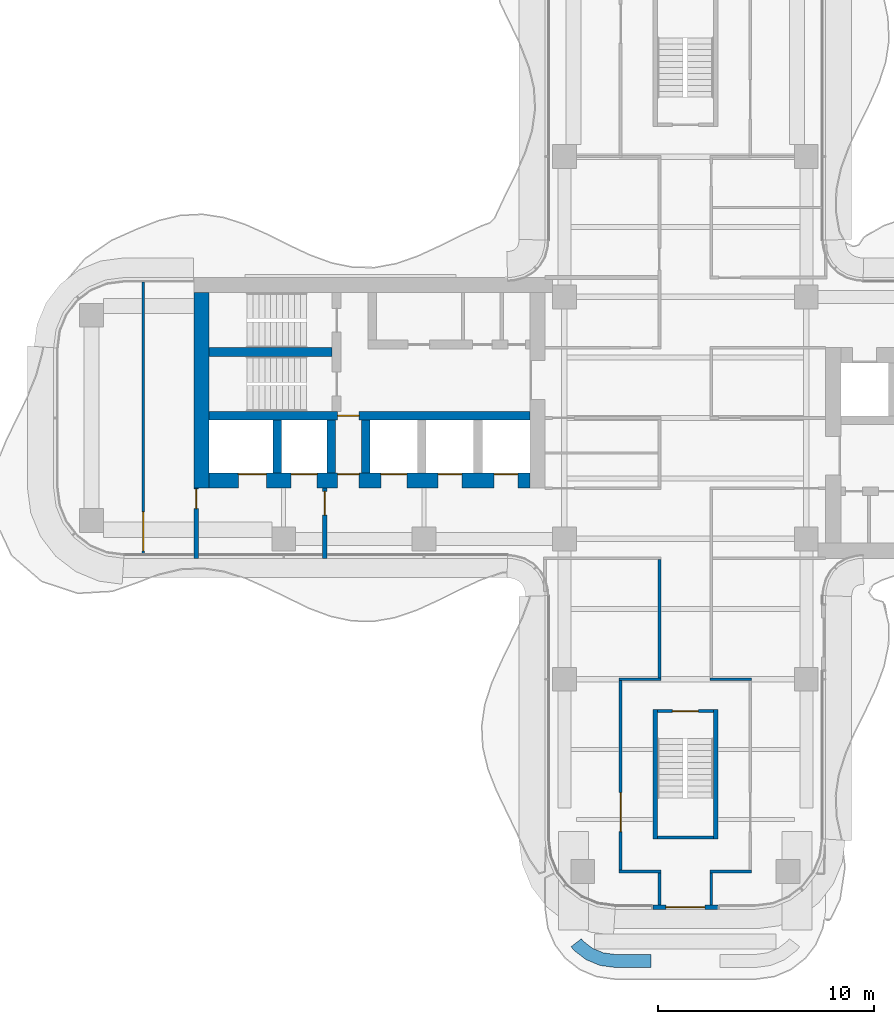
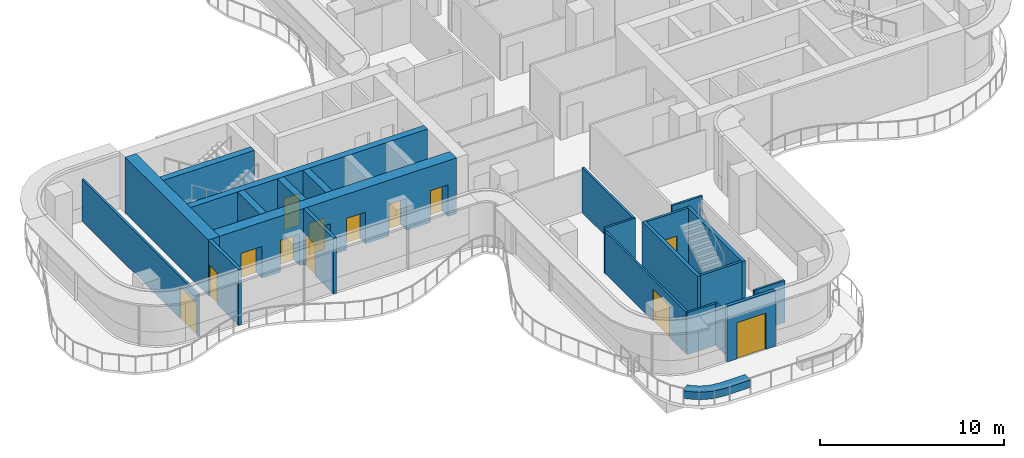
# One storey, part 12 of 17: 24 walls, 13 doors, 13 openings.
"""IFC4 building model written with IfcOpenShell, lengths in metres."""

from ifc_helpers import new_model, si_unit, direction, frame, frame_2d, origin, place, context, subcontext, project, spatial, polyline, rectangle, outline, extrude, source, transform, mapped, material, layer, layer_set, type_object, element, fill, save


model = new_model("IFC4")

# Units and contexts
model_context = context("Model", 3, precision=1e-05, world=origin(), true_north=direction((0.0, 1.0)))
body_context = subcontext(model_context, "Body", "Model", "MODEL_VIEW")
ifc_project = project(units=[si_unit("LENGTHUNIT", "METRE"), si_unit("AREAUNIT", "SQUARE_METRE"), si_unit("VOLUMEUNIT", "CUBIC_METRE"), si_unit("PLANEANGLEUNIT", "RADIAN"), si_unit("MASSUNIT", "GRAM", prefix="KILO")], contexts=[model_context])

# Site, building, storey
site_placement = place(None, origin())
site = spatial("IfcSite", under=ifc_project, at=site_placement, CompositionType="ELEMENT")
building_placement = place(site_placement, origin())
building = spatial("IfcBuilding", under=site, at=building_placement, Name="Trellis Farm Tower", CompositionType="ELEMENT")
storey_placement = place(building_placement, frame((0.0, 0.0, 244.10009765625)))
storey = spatial("IfcBuildingStorey", under=building, at=storey_placement, Name="L54", CompositionType="ELEMENT", Elevation=244.10009765625)

# Walls
ifc_material_1 = material(Name="Sandstone faced masonry planter", Category="masonry")
ifc_layer_1 = layer(ifc_material_1, 0.60009765625)
ifc_layer_set_1 = layer_set([ifc_layer_1], Name="PLANTER BED 600")
wall_type_1 = type_object("IfcWallType", Name="PLANTER BED 600", PredefinedType="USERDEFINED", material=ifc_layer_set_1)
wall_1_placement = place(storey_placement, origin())
element("IfcWall", 1, at=wall_1_placement, inside=storey, type_object=wall_type_1, Name="PLANTER bed", ObjectType="PLANTER", PredefinedType="USERDEFINED", context=body_context, shape_type="SweptSolid", body=[
    extrude(outline(polyline([(-3.214111328125, -25.449951171875), (-3.947509765625, -25.353515625), (-4.59765625, -25.084228515625), (-5.15576171875, -24.65576171875), (-5.29052734375, -24.480224609375), (-4.814697265625, -24.114990234375), (-4.727783203125, -24.227783203125), (-4.294921875, -24.56005859375), (-3.791015625, -24.768798828125), (-3.174560546875, -24.85009765625), (-1.60009765625, -24.85009765625), (-1.60009765625, -25.449951171875), (-3.214111328125, -25.449951171875)])), origin(), (0.0, 0.0, 1.0), 0.5),
])
ifc_material_2 = material(Name="Concrete C60/75", Category="concrete")
ifc_layer_2 = layer(ifc_material_2, 0.699951171875)
ifc_layer_set_2 = layer_set([ifc_layer_2], Name="CORE OUTER WALL 700 CONCRETE C60/75")
wall_type_2 = type_object("IfcWallType", Name="CORE OUTER WALL 700 CONCRETE C60/75", PredefinedType="SHEAR", material=ifc_layer_set_2)
shared_shape_1 = source(origin(), body_context, "Body", "SweptSolid", [
    extrude(rectangle(XDim=9.050048828125, YDim=0.699951171875, at=frame_2d((4.52490234375, 0.0))), origin(), (0.0, 0.0, 1.0), 3.699951171875),
])
wall_2_placement = place(storey_placement, frame((-22.39990234375, 5.800048828125, 0.0), z_axis=(0.0, 0.0, 1.0), x_axis=(0.0, -1.0, 0.0)))
element("IfcWall", 2, at=wall_2_placement, inside=storey, type_object=wall_type_2, Name="Core wall", PredefinedType="SHEAR", context=body_context, shape_type="MappedRepresentation", body=[
    mapped(shared_shape_1, transform((0.0, 0.0, 0.0))),
])
ifc_layer_3 = layer(ifc_material_2, 0.39990234375)
ifc_layer_set_3 = layer_set([ifc_layer_3], Name="CORE INNER WALL 400 CONCRETE C60/75")
wall_type_3 = type_object("IfcWallType", Name="CORE INNER WALL 400 CONCRETE C60/75", PredefinedType="SHEAR", material=ifc_layer_set_3)
shared_shape_2 = source(origin(), body_context, "Body", "SweptSolid", [
    extrude(rectangle(XDim=2.449951171875, YDim=0.39990234375, at=frame_2d((1.22509765625, 0.0))), origin(), (0.0, 0.0, 1.0), 3.699951171875),
])
for number, where, z_axis, x_axis, name in (
    (3, (-14.800048828125, -0.10009765625, 0.0), (0.0, 0.0, 1.0), (0.0, -1.0, 0.0), "Core wall"),
    (4, (-16.39990234375, -0.10009765625, 0.0), (0.0, 0.0, 1.0), (0.0, -1.0, 0.0), "Core wall"),
    (5, (-18.89990234375, -0.10009765625, 0.0), (0.0, 0.0, 1.0), (0.0, -1.0, 0.0), "Core wall"),
):
    element("IfcWall", number, at=place(storey_placement, frame(where, z_axis=z_axis, x_axis=x_axis)), inside=storey, type_object=wall_type_3, Name=name, PredefinedType="SHEAR", context=body_context, shape_type="MappedRepresentation", body=[
        mapped(shared_shape_2, transform((0.0, 0.0, 0.0))),
    ])

# Wall, opening, door
ifc_material_3 = material(Name="Masonry blockwork", Category="masonry")
ifc_layer_4 = layer(ifc_material_3, 0.199951171875)
ifc_layer_set_4 = layer_set([ifc_layer_4], Name="FIRE LOBBY PARTITION 200 BLOCKWORK")
wall_type_4 = type_object("IfcWallType", Name="FIRE LOBBY PARTITION 200 BLOCKWORK", PredefinedType="PARTITIONING", material=ifc_layer_set_4)
shared_shape_3 = source(origin(), body_context, "Body", "SweptSolid", [
    extrude(rectangle(XDim=3.25, YDim=0.199951171875, at=frame_2d((1.625, 0.0))), origin(), (0.0, 0.0, 1.0), 3.699951171875),
])
wall_3_placement = place(storey_placement, frame((-16.699951171875, -3.25, 0.0), z_axis=(0.0, 0.0, 1.0), x_axis=(0.0, -1.0, 0.0)))
wall_3 = element("IfcWall", 6, at=wall_3_placement, inside=storey, type_object=wall_type_4, Name="Fire-fighting lobby partition", PredefinedType="PARTITIONING", context=body_context, shape_type="MappedRepresentation", body=[
    mapped(shared_shape_3, transform((0.0, 0.0, 0.0))),
])
shared_shape_4 = source(origin(), body_context, "Body", "SweptSolid", [
    extrude(rectangle(XDim=1.10009765625, YDim=2.10009765625, at=frame_2d((0.550048828125, 1.050048828125))), frame((0.0, 0.110107421875, 0.0), z_axis=(0.0, -1.0, 0.0), x_axis=(1.0, 0.0, 0.0)), (0.0, 0.0, 1.0), 0.22021484375),
])
opening_1_placement = place(wall_3_placement, frame((0.14990234375, 0.0, 0.0)))
opening_1 = element("IfcOpeningElement", 7, at=opening_1_placement, cuts=wall_3, Name="Opening DC93", PredefinedType="OPENING", context=body_context, shape_type="MappedRepresentation", body=[
    mapped(shared_shape_4, transform((0.0, 0.0, 0.0))),
])
ifc_material_4 = material(Name="Steel", Category="steel")
door_type_1 = type_object("IfcDoorType", Name="CORE FIRE DOOR 1100 X 2100", OperationType="NOTDEFINED", PredefinedType="DOOR", material=ifc_material_4)
shared_shape_5 = source(origin(), body_context, "Body", "SweptSolid", [
    extrude(rectangle(XDim=1.10009765625, YDim=2.10009765625, at=frame_2d((0.550048828125, 1.050048828125))), frame((0.0, 0.02490234375, 0.0), z_axis=(0.0, -1.0, 0.0), x_axis=(1.0, 0.0, 0.0)), (0.0, 0.0, 1.0), 0.050048828125),
])
door_1_placement = place(opening_1_placement, origin())
door_1 = element("IfcDoor", 8, at=door_1_placement, inside=storey, type_object=door_type_1, Name="Core door", OperationType="SINGLE_SWING_RIGHT", OverallHeight=2.10009765625, OverallWidth=1.10009765625, PredefinedType="DOOR", context=body_context, shape_type="MappedRepresentation", body=[
    mapped(shared_shape_5, transform((0.0, 0.0, 0.0))),
])
fill(opening_1, door_1)

wall_4_placement = place(storey_placement, frame((-22.64990234375, -3.25, 0.0), z_axis=(0.0, 0.0, 1.0), x_axis=(0.0, -1.0, 0.0)))
wall_4 = element("IfcWall", 9, at=wall_4_placement, inside=storey, type_object=wall_type_4, Name="Fire-fighting lobby partition", PredefinedType="PARTITIONING", context=body_context, shape_type="MappedRepresentation", body=[
    mapped(shared_shape_3, transform((0.0, 0.0, 0.0))),
])
shared_shape_6 = source(origin(), body_context, "Body", "SweptSolid", [
    extrude(rectangle(XDim=0.89990234375, YDim=2.10009765625, at=frame_2d((0.449951171875, 1.050048828125))), frame((0.0, 0.110107421875, 0.0), z_axis=(0.0, -1.0, 0.0), x_axis=(1.0, 0.0, 0.0)), (0.0, 0.0, 1.0), 0.22021484375),
])
opening_2_placement = place(wall_4_placement, frame((0.050048828125, 0.0, 0.0)))
opening_2 = element("IfcOpeningElement", 10, at=opening_2_placement, cuts=wall_4, Name="Opening DC94", PredefinedType="OPENING", context=body_context, shape_type="MappedRepresentation", body=[
    mapped(shared_shape_6, transform((0.0, 0.0, 0.0))),
])
door_type_2 = type_object("IfcDoorType", Name="CORE FIRE DOOR 900 X 2100", OperationType="NOTDEFINED", PredefinedType="DOOR", material=ifc_material_4)
shared_shape_7 = source(origin(), body_context, "Body", "SweptSolid", [
    extrude(rectangle(XDim=0.89990234375, YDim=2.10009765625, at=frame_2d((0.449951171875, 1.050048828125))), frame((0.0, 0.02490234375, 0.0), z_axis=(0.0, -1.0, 0.0), x_axis=(1.0, 0.0, 0.0)), (0.0, 0.0, 1.0), 0.050048828125),
])
door_2_placement = place(opening_2_placement, origin())
door_2 = element("IfcDoor", 11, at=door_2_placement, inside=storey, type_object=door_type_2, Name="Core door", OperationType="SINGLE_SWING_RIGHT", OverallHeight=2.10009765625, OverallWidth=0.89990234375, PredefinedType="DOOR", context=body_context, shape_type="MappedRepresentation", body=[
    mapped(shared_shape_7, transform((0.0, 0.0, 0.0))),
])
fill(opening_2, door_2)

# Wall, openings, doors
shared_shape_8 = source(origin(), body_context, "Body", "SweptSolid", [
    extrude(rectangle(XDim=14.85009765625, YDim=0.699951171875, at=frame_2d((7.425048828125, 0.0))), origin(), (0.0, 0.0, 1.0), 3.699951171875),
])
wall_5_placement = place(storey_placement, frame((-7.199951171875, -2.89990234375, 0.0), z_axis=(0.0, 0.0, 1.0), x_axis=(-1.0, 0.0, 0.0)))
wall_5 = element("IfcWall", 12, at=wall_5_placement, inside=storey, type_object=wall_type_2, Name="Core wall", PredefinedType="SHEAR", context=body_context, shape_type="MappedRepresentation", body=[
    mapped(shared_shape_8, transform((0.0, 0.0, 0.0))),
])
shared_shape_9 = source(origin(), body_context, "Body", "SweptSolid", [
    extrude(rectangle(XDim=1.10009765625, YDim=2.10009765625, at=frame_2d((0.550048828125, 1.050048828125))), frame((0.0, 0.360107421875, 0.0), z_axis=(0.0, -1.0, 0.0), x_axis=(1.0, 0.0, 0.0)), (0.0, 0.0, 1.0), 0.72021484375),
])
opening_3_placement = place(wall_5_placement, frame((0.550048828125, 0.0, 0.0)))
opening_3 = element("IfcOpeningElement", 13, at=opening_3_placement, cuts=wall_5, Name="Opening LD12", PredefinedType="OPENING", context=body_context, shape_type="MappedRepresentation", body=[
    mapped(shared_shape_9, transform((0.0, 0.0, 0.0))),
])
opening_4_placement = place(wall_5_placement, frame((3.14990234375, 0.0, 0.0)))
opening_4 = element("IfcOpeningElement", 14, at=opening_4_placement, cuts=wall_5, Name="Opening LD13", PredefinedType="OPENING", context=body_context, shape_type="MappedRepresentation", body=[
    mapped(shared_shape_9, transform((0.0, 0.0, 0.0))),
])
shared_shape_10 = source(origin(), body_context, "Body", "SweptSolid", [
    extrude(rectangle(XDim=1.199951171875, YDim=2.10009765625, at=frame_2d((0.60009765625, 1.050048828125))), frame((0.0, 0.360107421875, 0.0), z_axis=(0.0, -1.0, 0.0), x_axis=(1.0, 0.0, 0.0)), (0.0, 0.0, 1.0), 0.72021484375),
])
opening_5_placement = place(wall_5_placement, frame((5.699951171875, 0.0, 0.0)))
opening_5 = element("IfcOpeningElement", 15, at=opening_5_placement, cuts=wall_5, Name="Opening LD14", PredefinedType="OPENING", context=body_context, shape_type="MappedRepresentation", body=[
    mapped(shared_shape_10, transform((0.0, 0.0, 0.0))),
])
shared_shape_11 = source(origin(), body_context, "Body", "SweptSolid", [
    extrude(rectangle(XDim=1.300048828125, YDim=2.10009765625, at=frame_2d((0.64990234375, 1.050048828125))), frame((0.0, 0.360107421875, 0.0), z_axis=(0.0, -1.0, 0.0), x_axis=(1.0, 0.0, 0.0)), (0.0, 0.0, 1.0), 0.72021484375),
])
opening_6_placement = place(wall_5_placement, frame((12.199951171875, 0.0, 0.0)))
opening_6 = element("IfcOpeningElement", 16, at=opening_6_placement, cuts=wall_5, Name="Opening LD15", PredefinedType="OPENING", context=body_context, shape_type="MappedRepresentation", body=[
    mapped(shared_shape_11, transform((0.0, 0.0, 0.0))),
])
opening_7_placement = place(wall_5_placement, frame((9.85009765625, 0.0, 0.0)))
opening_7 = element("IfcOpeningElement", 17, at=opening_7_placement, cuts=wall_5, Name="Opening LD16", PredefinedType="OPENING", context=body_context, shape_type="MappedRepresentation", body=[
    mapped(shared_shape_10, transform((0.0, 0.0, 0.0))),
])
shared_shape_12 = source(origin(), body_context, "Body", "SweptSolid", [
    extrude(rectangle(XDim=1.0, YDim=2.10009765625, at=frame_2d((0.5, 1.050048828125))), frame((0.0, 0.360107421875, 0.0), z_axis=(0.0, -1.0, 0.0), x_axis=(1.0, 0.0, 0.0)), (0.0, 0.0, 1.0), 0.72021484375),
])
opening_8_placement = place(wall_5_placement, frame((7.89990234375, 0.0, 0.0)))
opening_8 = element("IfcOpeningElement", 18, at=opening_8_placement, cuts=wall_5, Name="Opening DC92", PredefinedType="OPENING", context=body_context, shape_type="MappedRepresentation", body=[
    mapped(shared_shape_12, transform((0.0, 0.0, 0.0))),
])
door_type_3 = type_object("IfcDoorType", Name="CORE FIRE DOOR 1000 X 2100", OperationType="NOTDEFINED", PredefinedType="DOOR", material=ifc_material_4)
shared_shape_13 = source(origin(), body_context, "Body", "SweptSolid", [
    extrude(rectangle(XDim=1.0, YDim=2.10009765625, at=frame_2d((0.5, 1.050048828125))), frame((0.0, -0.27490234375, 0.0), z_axis=(0.0, -1.0, 0.0), x_axis=(1.0, 0.0, 0.0)), (0.0, 0.0, 1.0), 0.050048828125),
])
door_3_placement = place(opening_8_placement, origin())
door_3 = element("IfcDoor", 19, at=door_3_placement, inside=storey, type_object=door_type_3, Name="Core door", OperationType="SINGLE_SWING_LEFT", OverallHeight=2.10009765625, OverallWidth=1.0, PredefinedType="DOOR", context=body_context, shape_type="MappedRepresentation", body=[
    mapped(shared_shape_13, transform((0.0, 0.0, 0.0))),
])
fill(opening_8, door_3)
ifc_material_5 = material(Name="Stainless steel", Category="steel")
door_type_4 = type_object("IfcDoorType", Name="LIFT LANDING DOOR 1300 X 2100", OperationType="DOUBLE_DOOR_SLIDING", PredefinedType="DOOR", material=ifc_material_5)
shared_shape_14 = source(origin(), body_context, "Body", "SweptSolid", [
    extrude(rectangle(XDim=1.300048828125, YDim=2.10009765625, at=frame_2d((0.64990234375, 1.050048828125))), frame((0.0, -0.27490234375, 0.0), z_axis=(0.0, -1.0, 0.0), x_axis=(1.0, 0.0, 0.0)), (0.0, 0.0, 1.0), 0.050048828125),
])
door_4_placement = place(opening_6_placement, origin())
door_4 = element("IfcDoor", 20, at=door_4_placement, inside=storey, type_object=door_type_4, Name="Lift landing door", OperationType="DOUBLE_DOOR_SLIDING", OverallHeight=2.10009765625, OverallWidth=1.300048828125, PredefinedType="DOOR", context=body_context, shape_type="MappedRepresentation", body=[
    mapped(shared_shape_14, transform((0.0, 0.0, 0.0))),
])
fill(opening_6, door_4)
door_type_5 = type_object("IfcDoorType", Name="LIFT LANDING DOOR 1200 X 2100", OperationType="DOUBLE_DOOR_SLIDING", PredefinedType="DOOR", material=ifc_material_5)
shared_shape_15 = source(origin(), body_context, "Body", "SweptSolid", [
    extrude(rectangle(XDim=1.199951171875, YDim=2.10009765625, at=frame_2d((0.60009765625, 1.050048828125))), frame((0.0, -0.27490234375, 0.0), z_axis=(0.0, -1.0, 0.0), x_axis=(1.0, 0.0, 0.0)), (0.0, 0.0, 1.0), 0.050048828125),
])
door_5_placement = place(opening_5_placement, origin())
door_5 = element("IfcDoor", 21, at=door_5_placement, inside=storey, type_object=door_type_5, Name="Lift landing door", OperationType="DOUBLE_DOOR_SLIDING", OverallHeight=2.10009765625, OverallWidth=1.199951171875, PredefinedType="DOOR", context=body_context, shape_type="MappedRepresentation", body=[
    mapped(shared_shape_15, transform((0.0, 0.0, 0.0))),
])
fill(opening_5, door_5)
door_6_placement = place(opening_7_placement, origin())
door_6 = element("IfcDoor", 22, at=door_6_placement, inside=storey, type_object=door_type_5, Name="Lift landing door", OperationType="DOUBLE_DOOR_SLIDING", OverallHeight=2.10009765625, OverallWidth=1.199951171875, PredefinedType="DOOR", context=body_context, shape_type="MappedRepresentation", body=[
    mapped(shared_shape_15, transform((0.0, 0.0, 0.0))),
])
fill(opening_7, door_6)
door_type_6 = type_object("IfcDoorType", Name="LIFT LANDING DOOR 1100 X 2100", OperationType="DOUBLE_DOOR_SLIDING", PredefinedType="DOOR", material=ifc_material_5)
shared_shape_16 = source(origin(), body_context, "Body", "SweptSolid", [
    extrude(rectangle(XDim=1.10009765625, YDim=2.10009765625, at=frame_2d((0.550048828125, 1.050048828125))), frame((0.0, -0.27490234375, 0.0), z_axis=(0.0, -1.0, 0.0), x_axis=(1.0, 0.0, 0.0)), (0.0, 0.0, 1.0), 0.050048828125),
])
door_7_placement = place(opening_3_placement, origin())
door_7 = element("IfcDoor", 23, at=door_7_placement, inside=storey, type_object=door_type_6, Name="Lift landing door", OperationType="DOUBLE_DOOR_SLIDING", OverallHeight=2.10009765625, OverallWidth=1.10009765625, PredefinedType="DOOR", context=body_context, shape_type="MappedRepresentation", body=[
    mapped(shared_shape_16, transform((0.0, 0.0, 0.0))),
])
fill(opening_3, door_7)
door_8_placement = place(opening_4_placement, origin())
door_8 = element("IfcDoor", 24, at=door_8_placement, inside=storey, type_object=door_type_6, Name="Lift landing door", OperationType="DOUBLE_DOOR_SLIDING", OverallHeight=2.10009765625, OverallWidth=1.10009765625, PredefinedType="DOOR", context=body_context, shape_type="MappedRepresentation", body=[
    mapped(shared_shape_16, transform((0.0, 0.0, 0.0))),
])
fill(opening_4, door_8)

# Wall, opening, door
shared_shape_17 = source(origin(), body_context, "Body", "SweptSolid", [
    extrude(rectangle(XDim=14.85009765625, YDim=0.39990234375, at=frame_2d((7.425048828125, 0.0))), origin(), (0.0, 0.0, 1.0), 3.699951171875),
])
wall_6_placement = place(storey_placement, frame((-7.199951171875, 0.10009765625, 0.0), z_axis=(0.0, 0.0, 1.0), x_axis=(-1.0, 0.0, 0.0)))
wall_6 = element("IfcWall", 25, at=wall_6_placement, inside=storey, type_object=wall_type_3, Name="Core wall", PredefinedType="SHEAR", context=body_context, shape_type="MappedRepresentation", body=[
    mapped(shared_shape_17, transform((0.0, 0.0, 0.0))),
])
shared_shape_18 = source(origin(), body_context, "Body", "SweptSolid", [
    extrude(rectangle(XDim=1.0, YDim=2.10009765625, at=frame_2d((0.5, 1.050048828125))), frame((0.0, 0.2099609375, 0.0), z_axis=(0.0, -1.0, 0.0), x_axis=(1.0, 0.0, 0.0)), (0.0, 0.0, 1.0), 0.419921875),
])
opening_9_placement = place(wall_6_placement, frame((7.89990234375, 0.0, 0.0)))
opening_9 = element("IfcOpeningElement", 26, at=opening_9_placement, cuts=wall_6, Name="Opening DC91", PredefinedType="OPENING", context=body_context, shape_type="MappedRepresentation", body=[
    mapped(shared_shape_18, transform((0.0, 0.0, 0.0))),
])
shared_shape_19 = source(origin(), body_context, "Body", "SweptSolid", [
    extrude(rectangle(XDim=1.0, YDim=2.10009765625, at=frame_2d((0.5, 1.050048828125))), frame((0.0, 0.02490234375, 0.0), z_axis=(0.0, -1.0, 0.0), x_axis=(1.0, 0.0, 0.0)), (0.0, 0.0, 1.0), 0.050048828125),
])
door_9_placement = place(opening_9_placement, origin())
door_9 = element("IfcDoor", 27, at=door_9_placement, inside=storey, type_object=door_type_3, Name="Core door", OperationType="SINGLE_SWING_RIGHT", OverallHeight=2.10009765625, OverallWidth=1.0, PredefinedType="DOOR", context=body_context, shape_type="MappedRepresentation", body=[
    mapped(shared_shape_19, transform((0.0, 0.0, 0.0))),
])
fill(opening_9, door_9)

# Walls
shared_shape_20 = source(origin(), body_context, "Body", "SweptSolid", [
    extrude(rectangle(XDim=5.699951171875, YDim=0.39990234375, at=frame_2d((2.85009765625, 0.0))), origin(), (0.0, 0.0, 1.0), 3.699951171875),
])
wall_7_placement = place(storey_placement, frame((-16.35009765625, 3.050048828125, 0.0), z_axis=(0.0, 0.0, 1.0), x_axis=(-1.0, 0.0, 0.0)))
element("IfcWall", 28, at=wall_7_placement, inside=storey, type_object=wall_type_3, Name="Core wall", PredefinedType="SHEAR", context=body_context, shape_type="MappedRepresentation", body=[
    mapped(shared_shape_20, transform((0.0, 0.0, 0.0))),
])
ifc_layer_5 = layer(ifc_material_2, 0.199951171875)
ifc_layer_set_5 = layer_set([ifc_layer_5], Name="CORE STAIR ENCLOSURE WALL 200 CONCRETE C60/75")
wall_type_5 = type_object("IfcWallType", Name="CORE STAIR ENCLOSURE WALL 200 CONCRETE C60/75", PredefinedType="SHEAR", material=ifc_layer_set_5)
shared_shape_21 = source(origin(), body_context, "Body", "SweptSolid", [
    extrude(rectangle(XDim=6.0, YDim=0.199951171875, at=frame_2d((3.0, 0.0))), origin(), (0.0, 0.0, 1.0), 3.699951171875),
])
for number, where, z_axis, x_axis, name in (
    (29, (1.39990234375, -13.5, 0.0), (0.0, 0.0, 1.0), (0.0, -1.0, 0.0), "Stair enclosure wall"),
    (30, (-1.39990234375, -13.5, 0.0), (0.0, 0.0, 1.0), (0.0, -1.0, 0.0), "Stair enclosure wall"),
):
    element("IfcWall", number, at=place(storey_placement, frame(where, z_axis=z_axis, x_axis=x_axis)), inside=storey, type_object=wall_type_5, Name=name, PredefinedType="SHEAR", context=body_context, shape_type="MappedRepresentation", body=[
        mapped(shared_shape_21, transform((0.0, 0.0, 0.0))),
    ])

# Wall, opening, door
ifc_layer_6 = layer(ifc_material_2, 0.14990234375)
ifc_layer_set_6 = layer_set([ifc_layer_6], Name="CORE STAIR ENCLOSURE WALL 150 CONCRETE C60/75")
wall_type_6 = type_object("IfcWallType", Name="CORE STAIR ENCLOSURE WALL 150 CONCRETE C60/75", PredefinedType="SHEAR", material=ifc_layer_set_6)
shared_shape_22 = source(origin(), body_context, "Body", "SweptSolid", [
    extrude(rectangle(XDim=2.60009765625, YDim=0.14990234375, at=frame_2d((1.300048828125, 0.0))), origin(), (0.0, 0.0, 1.0), 3.699951171875),
])
wall_8_placement = place(storey_placement, frame((1.300048828125, -13.574951171875, 0.0), z_axis=(0.0, 0.0, 1.0), x_axis=(-1.0, 0.0, 0.0)))
wall_8 = element("IfcWall", 31, at=wall_8_placement, inside=storey, type_object=wall_type_6, Name="Stair enclosure wall", PredefinedType="SHEAR", context=body_context, shape_type="MappedRepresentation", body=[
    mapped(shared_shape_22, transform((0.0, 0.0, 0.0))),
])
shared_shape_23 = source(origin(), body_context, "Body", "SweptSolid", [
    extrude(rectangle(XDim=1.199951171875, YDim=2.10009765625, at=frame_2d((0.60009765625, 1.050048828125))), frame((0.0, 0.0849609375, 0.0), z_axis=(0.0, -1.0, 0.0), x_axis=(1.0, 0.0, 0.0)), (0.0, 0.0, 1.0), 0.169921875),
])
opening_10_placement = place(wall_8_placement, frame((0.699951171875, 0.0, 0.0)))
opening_10 = element("IfcOpeningElement", 32, at=opening_10_placement, cuts=wall_8, Name="Opening DC174", PredefinedType="OPENING", context=body_context, shape_type="MappedRepresentation", body=[
    mapped(shared_shape_23, transform((0.0, 0.0, 0.0))),
])
door_type_7 = type_object("IfcDoorType", Name="CORE FIRE DOOR 1200 X 2100", OperationType="NOTDEFINED", PredefinedType="DOOR", material=ifc_material_4)
shared_shape_24 = source(origin(), body_context, "Body", "SweptSolid", [
    extrude(rectangle(XDim=1.199951171875, YDim=2.10009765625, at=frame_2d((0.60009765625, 1.050048828125))), frame((0.0, 0.02490234375, 0.0), z_axis=(0.0, -1.0, 0.0), x_axis=(1.0, 0.0, 0.0)), (0.0, 0.0, 1.0), 0.050048828125),
])
door_10_placement = place(opening_10_placement, origin())
door_10 = element("IfcDoor", 33, at=door_10_placement, inside=storey, type_object=door_type_7, Name="Core door", OperationType="SINGLE_SWING_RIGHT", OverallHeight=2.10009765625, OverallWidth=1.199951171875, PredefinedType="DOOR", context=body_context, shape_type="MappedRepresentation", body=[
    mapped(shared_shape_24, transform((0.0, 0.0, 0.0))),
])
fill(opening_10, door_10)

# Wall
wall_9_placement = place(storey_placement, frame((1.300048828125, -19.425048828125, 0.0), z_axis=(0.0, 0.0, 1.0), x_axis=(-1.0, 0.0, 0.0)))
element("IfcWall", 34, at=wall_9_placement, inside=storey, type_object=wall_type_6, Name="Stair enclosure wall", PredefinedType="SHEAR", context=body_context, shape_type="MappedRepresentation", body=[
    mapped(shared_shape_22, transform((0.0, 0.0, 0.0))),
])

# Wall, opening, door
ifc_material_6 = material(Name="Sandstone faced insulated wall", Category="masonry")
ifc_layer_7 = layer(ifc_material_6, 0.199951171875)
ifc_layer_set_7 = layer_set([ifc_layer_7], Name="EXTERNAL INFILL WALL 200")
wall_type_7 = type_object("IfcWallType", Name="EXTERNAL INFILL WALL 200", PredefinedType="SOLIDWALL", material=ifc_layer_set_7)
shared_shape_25 = source(origin(), body_context, "Body", "SweptSolid", [
    extrude(rectangle(XDim=3.0, YDim=0.199951171875, at=frame_2d((1.5, 0.0))), origin(), (0.0, 0.0, 1.0), 3.699951171875),
])
wall_10_placement = place(storey_placement, frame((-1.5, -22.64990234375, 0.0), z_axis=(0.0, 0.0, 1.0), x_axis=(1.0, 0.0, 0.0)))
wall_10 = element("IfcWall", 35, at=wall_10_placement, inside=storey, type_object=wall_type_7, Name="EW1 01", PredefinedType="SOLIDWALL", context=body_context, shape_type="MappedRepresentation", body=[
    mapped(shared_shape_25, transform((0.0, 0.0, 0.0))),
])
shared_shape_26 = source(origin(), body_context, "Body", "SweptSolid", [
    extrude(rectangle(XDim=1.800048828125, YDim=2.39990234375, at=frame_2d((0.89990234375, 1.199951171875))), frame((0.0, 0.110107421875, 0.0), z_axis=(0.0, -1.0, 0.0), x_axis=(1.0, 0.0, 0.0)), (0.0, 0.0, 1.0), 0.22021484375),
])
opening_11_placement = place(wall_10_placement, frame((0.60009765625, 0.0, 0.0)))
opening_11 = element("IfcOpeningElement", 36, at=opening_11_placement, cuts=wall_10, Name="Opening ED1", PredefinedType="OPENING", context=body_context, shape_type="MappedRepresentation", body=[
    mapped(shared_shape_26, transform((0.0, 0.0, 0.0))),
])
ifc_material_7 = material(Name="Aluminium framed glazed door", Category="aluminium")
door_type_8 = type_object("IfcDoorType", Name="BALCONY DOOR 1800x2400", OperationType="DOUBLE_DOOR_SINGLE_SWING", PredefinedType="DOOR", material=ifc_material_7)
shared_shape_27 = source(origin(), body_context, "Body", "SweptSolid", [
    extrude(rectangle(XDim=1.800048828125, YDim=2.39990234375, at=frame_2d((0.89990234375, 1.199951171875))), frame((0.0, 0.02490234375, 0.0), z_axis=(0.0, -1.0, 0.0), x_axis=(1.0, 0.0, 0.0)), (0.0, 0.0, 1.0), 0.050048828125),
])
door_11_placement = place(opening_11_placement, origin())
door_11 = element("IfcDoor", 37, at=door_11_placement, inside=storey, type_object=door_type_8, Name="Balcony door", OperationType="DOUBLE_DOOR_SINGLE_SWING", OverallHeight=2.39990234375, OverallWidth=1.800048828125, PredefinedType="DOOR", context=body_context, shape_type="MappedRepresentation", body=[
    mapped(shared_shape_27, transform((0.0, 0.0, 0.0))),
])
fill(opening_11, door_11)

# Walls
ifc_material_8 = material(Name="Plasterboard on steel studs, mineral wool", Category="steel")
ifc_layer_8 = layer(ifc_material_8, 0.125)
ifc_layer_set_8 = layer_set([ifc_layer_8], Name="PARTITION 125 STUD EI 60")
wall_type_8 = type_object("IfcWallType", Name="PARTITION 125 STUD EI 60", PredefinedType="PARTITIONING", material=ifc_layer_set_8)
shared_shape_28 = source(origin(), body_context, "Body", "SweptSolid", [
    extrude(rectangle(XDim=5.47509765625, YDim=0.125, at=frame_2d((2.737548828125, 0.0))), origin(), (0.0, 0.0, 1.0), 2.99658203125),
])
wall_11_placement = place(storey_placement, frame((-1.199951171875, -6.5625, 0.0), z_axis=(0.0, 0.0, 1.0), x_axis=(0.0, -1.0, 0.0)))
element("IfcWall", 38, at=wall_11_placement, inside=storey, type_object=wall_type_8, Name="Partition PW1", PredefinedType="PARTITIONING", context=body_context, shape_type="MappedRepresentation", body=[
    mapped(shared_shape_28, transform((0.0, 0.0, 0.0))),
])
shared_shape_29 = source(origin(), body_context, "Body", "SweptSolid", [
    extrude(rectangle(XDim=1.925048828125, YDim=0.125, at=frame_2d((0.96240234375, 0.0))), origin(), (0.0, 0.0, 1.0), 2.99658203125),
])
for number, where, z_axis, x_axis, name in (
    (39, (-3.0625, -12.10009765625, 0.0), (0.0, 0.0, 1.0), (1.0, 0.0, 0.0), "Partition PW1"),
    (40, (1.137451171875, -12.10009765625, 0.0), (0.0, 0.0, 1.0), (1.0, 0.0, 0.0), "Partition PW1"),
):
    element("IfcWall", number, at=place(storey_placement, frame(where, z_axis=z_axis, x_axis=x_axis)), inside=storey, type_object=wall_type_8, Name=name, PredefinedType="PARTITIONING", context=body_context, shape_type="MappedRepresentation", body=[
        mapped(shared_shape_29, transform((0.0, 0.0, 0.0))),
    ])

# Wall, opening, door
shared_shape_30 = source(origin(), body_context, "Body", "SweptSolid", [
    extrude(rectangle(XDim=12.60009765625, YDim=0.125, at=frame_2d((6.300048828125, 0.0))), origin(), (0.0, 0.0, 1.0), 2.77978515625),
])
wall_12_placement = place(storey_placement, frame((-25.10009765625, -6.300048828125, 0.0), z_axis=(0.0, 0.0, 1.0), x_axis=(0.0, 1.0, 0.0)))
wall_12 = element("IfcWall", 41, at=wall_12_placement, inside=storey, type_object=wall_type_8, Name="Partition PW1", PredefinedType="PARTITIONING", context=body_context, shape_type="MappedRepresentation", body=[
    mapped(shared_shape_30, transform((0.0, 0.0, 0.0))),
])
shared_shape_31 = source(origin(), body_context, "Body", "SweptSolid", [
    extrude(rectangle(XDim=1.800048828125, YDim=2.10009765625, at=frame_2d((0.89990234375, 1.050048828125))), frame((0.0, 0.072509765625, 0.0), z_axis=(0.0, -1.0, 0.0), x_axis=(1.0, 0.0, 0.0)), (0.0, 0.0, 1.0), 0.14501953125),
])
opening_12_placement = place(wall_12_placement, frame((0.14990234375, 0.0, 0.0)))
opening_12 = element("IfcOpeningElement", 42, at=opening_12_placement, cuts=wall_12, Name="Opening D203", PredefinedType="OPENING", context=body_context, shape_type="MappedRepresentation", body=[
    mapped(shared_shape_31, transform((0.0, 0.0, 0.0))),
])
ifc_material_9 = material(Name="Fire-rated timber door leaf in a hollow metal frame", Category="wood")
door_type_9 = type_object("IfcDoorType", Name="DOOR PAIR 1800x2100 FD30S", OperationType="NOTDEFINED", PredefinedType="DOOR", material=ifc_material_9)
shared_shape_32 = source(origin(), body_context, "Body", "SweptSolid", [
    extrude(rectangle(XDim=1.800048828125, YDim=2.10009765625, at=frame_2d((0.89990234375, 1.050048828125))), frame((0.0, 0.02490234375, 0.0), z_axis=(0.0, -1.0, 0.0), x_axis=(1.0, 0.0, 0.0)), (0.0, 0.0, 1.0), 0.050048828125),
])
door_12_placement = place(opening_12_placement, origin())
door_12 = element("IfcDoor", 43, at=door_12_placement, inside=storey, type_object=door_type_9, Name="Door D203", OperationType="DOUBLE_DOOR_SINGLE_SWING", OverallHeight=2.10009765625, OverallWidth=1.800048828125, PredefinedType="DOOR", context=body_context, shape_type="MappedRepresentation", body=[
    mapped(shared_shape_32, transform((0.0, 0.0, 0.0))),
])
fill(opening_12, door_12)

# Walls
shared_shape_33 = source(origin(), body_context, "Body", "SweptSolid", [
    extrude(rectangle(XDim=1.487548828125, YDim=0.125, at=frame_2d((0.74365234375, 0.0))), origin(), (0.0, 0.0, 1.0), 2.77978515625),
])
for number, where, z_axis, x_axis, name in (
    (44, (-1.199951171875, -21.0625, 0.0), (0.0, 0.0, 1.0), (0.0, -1.0, 0.0), "Partition PW1"),
    (45, (1.199951171875, -21.0625, 0.0), (0.0, 0.0, 1.0), (0.0, -1.0, 0.0), "Partition PW1"),
):
    element("IfcWall", number, at=place(storey_placement, frame(where, z_axis=z_axis, x_axis=x_axis)), inside=storey, type_object=wall_type_8, Name=name, PredefinedType="PARTITIONING", context=body_context, shape_type="MappedRepresentation", body=[
        mapped(shared_shape_33, transform((0.0, 0.0, 0.0))),
    ])
shared_shape_34 = source(origin(), body_context, "Body", "SweptSolid", [
    extrude(rectangle(XDim=1.925048828125, YDim=0.125, at=frame_2d((0.96240234375, 0.0))), origin(), (0.0, 0.0, 1.0), 2.77978515625),
])
for number, where, z_axis, x_axis, name in (
    (46, (-1.137451171875, -21.0, 0.0), (0.0, 0.0, 1.0), (-1.0, 0.0, 0.0), "Partition PW1"),
    (47, (3.0625, -21.0, 0.0), (0.0, 0.0, 1.0), (-1.0, 0.0, 0.0), "Partition PW1"),
):
    element("IfcWall", number, at=place(storey_placement, frame(where, z_axis=z_axis, x_axis=x_axis)), inside=storey, type_object=wall_type_8, Name=name, PredefinedType="PARTITIONING", context=body_context, shape_type="MappedRepresentation", body=[
        mapped(shared_shape_34, transform((0.0, 0.0, 0.0))),
    ])

# Wall, opening, door
shared_shape_35 = source(origin(), body_context, "Body", "SweptSolid", [
    extrude(rectangle(XDim=8.77490234375, YDim=0.125, at=frame_2d((4.387451171875, 0.0))), origin(), (0.0, 0.0, 1.0), 2.77978515625),
])
wall_13_placement = place(storey_placement, frame((-3.0, -20.9375, 0.0), z_axis=(0.0, 0.0, 1.0), x_axis=(0.0, 1.0, 0.0)))
wall_13 = element("IfcWall", 48, at=wall_13_placement, inside=storey, type_object=wall_type_8, Name="Partition PW1", PredefinedType="PARTITIONING", context=body_context, shape_type="MappedRepresentation", body=[
    mapped(shared_shape_35, transform((0.0, 0.0, 0.0))),
])
opening_13_placement = place(wall_13_placement, frame((1.78759765625, 0.0, 0.0)))
opening_13 = element("IfcOpeningElement", 49, at=opening_13_placement, cuts=wall_13, Name="Opening D201", PredefinedType="OPENING", context=body_context, shape_type="MappedRepresentation", body=[
    mapped(shared_shape_31, transform((0.0, 0.0, 0.0))),
])
door_13_placement = place(opening_13_placement, origin())
door_13 = element("IfcDoor", 50, at=door_13_placement, inside=storey, type_object=door_type_9, Name="Door D201", OperationType="DOUBLE_DOOR_SINGLE_SWING", OverallHeight=2.10009765625, OverallWidth=1.800048828125, PredefinedType="DOOR", context=body_context, shape_type="MappedRepresentation", body=[
    mapped(shared_shape_32, transform((0.0, 0.0, 0.0))),
])
fill(opening_13, door_13)

save(model, "model.ifc")
